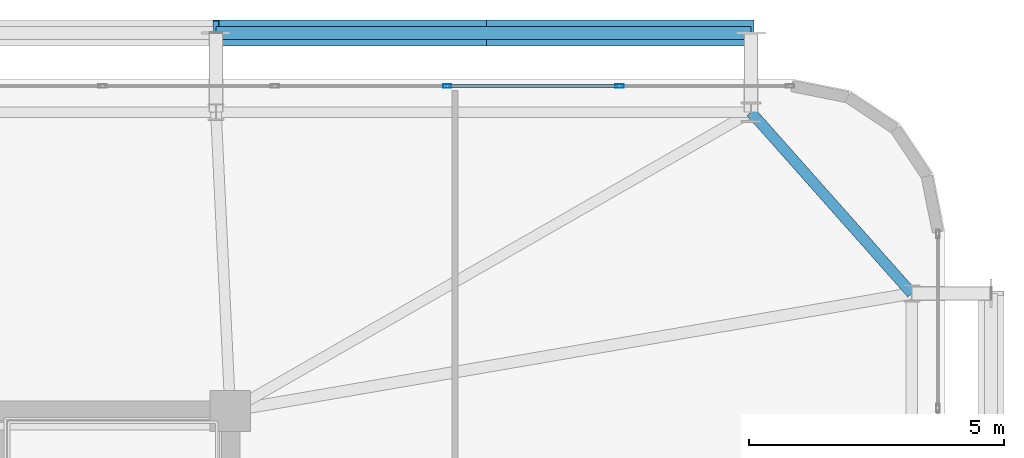
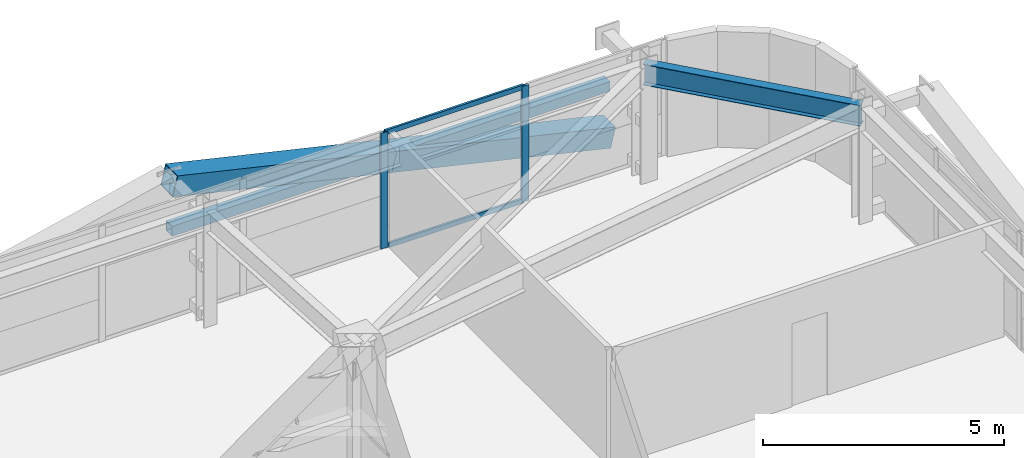
# One storey, part 40 of 59: 7 members, 1 beam, 1 element without a shape of its own.
"""IFC4 building model written with IfcOpenShell, lengths in metres."""

from ifc_helpers import new_model, si_unit, direction, frame, origin, origin_2d, place, context, subcontext, project, spatial, hollow_rectangle, i_section, extrude, source, transform, mapped, material, layer, layer_set, material_profile, profile_set, type_object, element, aggregate, save


model = new_model("IFC4")

# Units and contexts
model_context = context("Model", 3, precision=1e-05, world=origin(), true_north=direction((0.0, 1.0)))
body_context = subcontext(model_context, "Body", "Model", "MODEL_VIEW")
ifc_project = project(units=[si_unit("LENGTHUNIT", "METRE"), si_unit("AREAUNIT", "SQUARE_METRE"), si_unit("VOLUMEUNIT", "CUBIC_METRE"), si_unit("PLANEANGLEUNIT", "RADIAN"), si_unit("MASSUNIT", "GRAM", prefix="KILO")], contexts=[model_context])

# Site, building, storey
site_placement = place(None, origin())
site = spatial("IfcSite", under=ifc_project, at=site_placement, CompositionType="ELEMENT")
building_placement = place(site_placement, origin())
building = spatial("IfcBuilding", under=site, at=building_placement, Name="Taldren Reach Tower", CompositionType="ELEMENT")
storey_placement = place(building_placement, frame((0.0, 0.0, 26.25)))
storey = spatial("IfcBuildingStorey", under=building, at=storey_placement, Name="L07", CompositionType="ELEMENT", Elevation=26.25)

# Beam
ifc_material_1 = material(Name="Steel Gr 350 (350PLUS)", Category="steel")
ifc_material_profile_1 = material_profile(ifc_material_1, i_section(OverallWidth=0.208984375, OverallDepth=0.528076171875, WebThickness=0.009521484375, FlangeThickness=0.01318359375, at=origin_2d()), Name="530UB82.0")
ifc_profile_set_1 = profile_set([ifc_material_profile_1], Name="Steel Gr 350 (350PLUS)")
beam_type = type_object("IfcBeamType", Name="SP-UB530B", PredefinedType="SPANDREL", material=ifc_profile_set_1)
shared_shape_1 = source(origin(), body_context, "Body", "SweptSolid", [
    extrude(i_section(OverallWidth=0.208984375, OverallDepth=0.528076171875, WebThickness=0.009521484375, FlangeThickness=0.01318359375, at=origin_2d()), origin(), (0.0, 0.0, 1.0), 4.74609375),
])
beam_placement = place(storey_placement, frame((64.35009765625, 34.300048828125, 2.666015625), z_axis=(-0.663721843779, 0.747979487747, 0.0), x_axis=(-0.747979487747, -0.663721843779, 0.0)))
element("IfcBeam", 1, at=beam_placement, inside=storey, type_object=beam_type, Name="Perimeter spandrel B1 E3-N6 L07", PredefinedType="SPANDREL", context=body_context, shape_type="MappedRepresentation", body=[
    mapped(shared_shape_1, transform((0.0, 0.0, 0.0), scale=1.0)),
])

# Members
ifc_material_2 = material(Name="Steel Gr 450 (C450L0)", Category="steel")
ifc_material_profile_2 = material_profile(ifc_material_2, hollow_rectangle(XDim=0.510009765625, YDim=0.510009765625, WallThickness=0.02001953125, at=origin_2d()), Name="510x510x20.0SHS")
ifc_profile_set_2 = profile_set([ifc_material_profile_2], Name="Steel Gr 450 (C450L0)")
member_type_1 = type_object("IfcMemberType", Name="MB-EXO508", PredefinedType="BRACE", material=ifc_profile_set_2)
shared_shape_2 = source(origin(), body_context, "Body", "SweptSolid", [
    extrude(hollow_rectangle(XDim=0.510009765625, YDim=0.510009765625, WallThickness=0.02001953125, at=origin_2d()), origin(), (0.0, 0.0, 1.0), 5.37890625),
])
for number, where, z_axis, x_axis, name in (
    (2, (61.199951171875, 39.39990234375, 0.219970703125), (-0.97415197996, 0.0, 0.225893603143), (0.0, -1.0, 0.0), "Exoskeleton Diagrid Brace B1-N5 L07"),
    (3, (55.9599609375, 39.39990234375, 1.43505859375), (-0.974161966843, 0.0, 0.225850531007), (0.0, -1.0, 0.0), "Exoskeleton Diagrid Brace B1-N5 L07"),
):
    element("IfcMember", number, at=place(storey_placement, frame(where, z_axis=z_axis, x_axis=x_axis)), inside=storey, type_object=member_type_1, Name=name, PredefinedType="BRACE", context=body_context, shape_type="MappedRepresentation", body=[
        mapped(shared_shape_2, transform((0.0, 0.0, 0.0), scale=1.0)),
    ])
ifc_material_3 = material(Name="Steel Gr 350 (C350L0)", Category="steel")
ifc_material_profile_3 = material_profile(ifc_material_3, hollow_rectangle(XDim=0.25, YDim=0.25, WallThickness=0.010009765625, at=origin_2d()), Name="250x250x10.0SHS")
ifc_profile_set_3 = profile_set([ifc_material_profile_3], Name="Steel Gr 350 (C350L0)")
member_type_2 = type_object("IfcMemberType", Name="MB-POST250", PredefinedType="POST", material=ifc_profile_set_3)
shared_shape_3 = source(origin(), body_context, "Body", "SweptSolid", [
    extrude(hollow_rectangle(XDim=0.25, YDim=0.25, WallThickness=0.010009765625, at=origin_2d()), origin(), (0.0, 0.0, 1.0), 10.47998046875),
])
member_1_placement = place(storey_placement, frame((50.719970703125, 39.39990234375, 1.43505859375), z_axis=(1.0, 0.0, 0.0), x_axis=(0.0, 1.0, 0.0)))
element("IfcMember", 4, at=member_1_placement, inside=storey, type_object=member_type_2, Name="Exoskeleton mid-height ring chord B1-N5 L07", PredefinedType="POST", context=body_context, shape_type="MappedRepresentation", body=[
    mapped(shared_shape_3, transform((0.0, 0.0, 0.0), scale=1.0)),
])

# Curtain wall, members
ifc_material_4 = material(Name="Aluminium and Low-E Glass Unitised System", Category="aluminium")
ifc_layer = layer(ifc_material_4, 0.159912109375)
ifc_layer_set = layer_set([ifc_layer], Name="Aluminium and Low-E Glass Unitised System")
curtain_wall_type = type_object("IfcCurtainWallType", Name="CW-SYS-2", PredefinedType="NOTDEFINED", material=ifc_layer_set)
curtain_wall_placement = place(storey_placement, origin())
curtain_wall = element("IfcCurtainWall", 5, at=curtain_wall_placement, inside=storey, type_object=curtain_wall_type, Name="Unitised curtain wall CW-L07-N", PredefinedType="NOTDEFINED")
ifc_material_5 = material(Name="Anodised Aluminium 6063-T6", Category="aluminium")
ifc_material_profile_4 = material_profile(ifc_material_5, hollow_rectangle(XDim=0.06494140625, YDim=0.1650390625, WallThickness=0.00390625, at=origin_2d()), Name="ALU-165x65x4RHS")
ifc_profile_set_4 = profile_set([ifc_material_profile_4], Name="Anodised Aluminium 6063-T6")
member_type_3 = type_object("IfcMemberType", Name="CW-MUL-165", PredefinedType="MULLION", material=ifc_profile_set_4)
shared_shape_4 = source(origin(), body_context, "Body", "SweptSolid", [
    extrude(hollow_rectangle(XDim=0.06494140625, YDim=0.1650390625, WallThickness=0.00390625, at=origin_2d()), origin(), (0.0, 0.0, 1.0), 2.929931640625),
])
member_2_placement = place(storey_placement, frame((58.625, 38.360107421875, 0.0), z_axis=(0.0, 0.0, 1.0), x_axis=(0.0, -1.0, 0.0)))
member_2 = element("IfcMember", 6, at=member_2_placement, type_object=member_type_3, Name="CW-2 mullion 2", PredefinedType="MULLION", context=body_context, shape_type="MappedRepresentation", body=[
    mapped(shared_shape_4, transform((0.0, 0.0, 0.0), scale=1.0)),
])
member_3_placement = place(storey_placement, frame((55.25, 38.360107421875, 0.0), z_axis=(0.0, 0.0, 1.0), x_axis=(0.0, -1.0, 0.0)))
member_3 = element("IfcMember", 7, at=member_3_placement, type_object=member_type_3, Name="CW-2 mullion 3", PredefinedType="MULLION", context=body_context, shape_type="MappedRepresentation", body=[
    mapped(shared_shape_4, transform((0.0, 0.0, 0.0), scale=1.0)),
])
ifc_material_profile_5 = material_profile(ifc_material_5, hollow_rectangle(XDim=0.054931640625, YDim=0.1201171875, WallThickness=0.0029296875, at=origin_2d()), Name="ALU-120x55x3RHS")
ifc_profile_set_5 = profile_set([ifc_material_profile_5], Name="Anodised Aluminium 6063-T6")
member_type_4 = type_object("IfcMemberType", Name="CW-TRN-135", PredefinedType="USERDEFINED", material=ifc_profile_set_5)
shared_shape_5 = source(origin(), body_context, "Body", "SweptSolid", [
    extrude(hollow_rectangle(XDim=0.054931640625, YDim=0.1201171875, WallThickness=0.0029296875, at=origin_2d()), origin(), (0.0, 0.0, 1.0), 3.31005859375),
])
member_4_placement = place(storey_placement, frame((58.592529296875, 38.360107421875, 0.027587890625), z_axis=(-1.0, 0.0, 0.0), x_axis=(0.0, -1.0, 0.0)))
member_4 = element("IfcMember", 8, at=member_4_placement, type_object=member_type_4, Name="CW-2 transom 2.1", ObjectType="TRANSOM", PredefinedType="USERDEFINED", context=body_context, shape_type="MappedRepresentation", body=[
    mapped(shared_shape_5, transform((0.0, 0.0, 0.0), scale=1.0)),
])
member_5_placement = place(storey_placement, frame((58.592529296875, 38.360107421875, 2.902587890625), z_axis=(-1.0, 0.0, 0.0), x_axis=(0.0, -1.0, 0.0)))
member_5 = element("IfcMember", 9, at=member_5_placement, type_object=member_type_4, Name="CW-2 transom 2.2", ObjectType="TRANSOM", PredefinedType="USERDEFINED", context=body_context, shape_type="MappedRepresentation", body=[
    mapped(shared_shape_5, transform((0.0, 0.0, 0.0), scale=1.0)),
])
aggregate(curtain_wall, [member_2, member_3, member_4, member_5])

save(model, "model.ifc")
